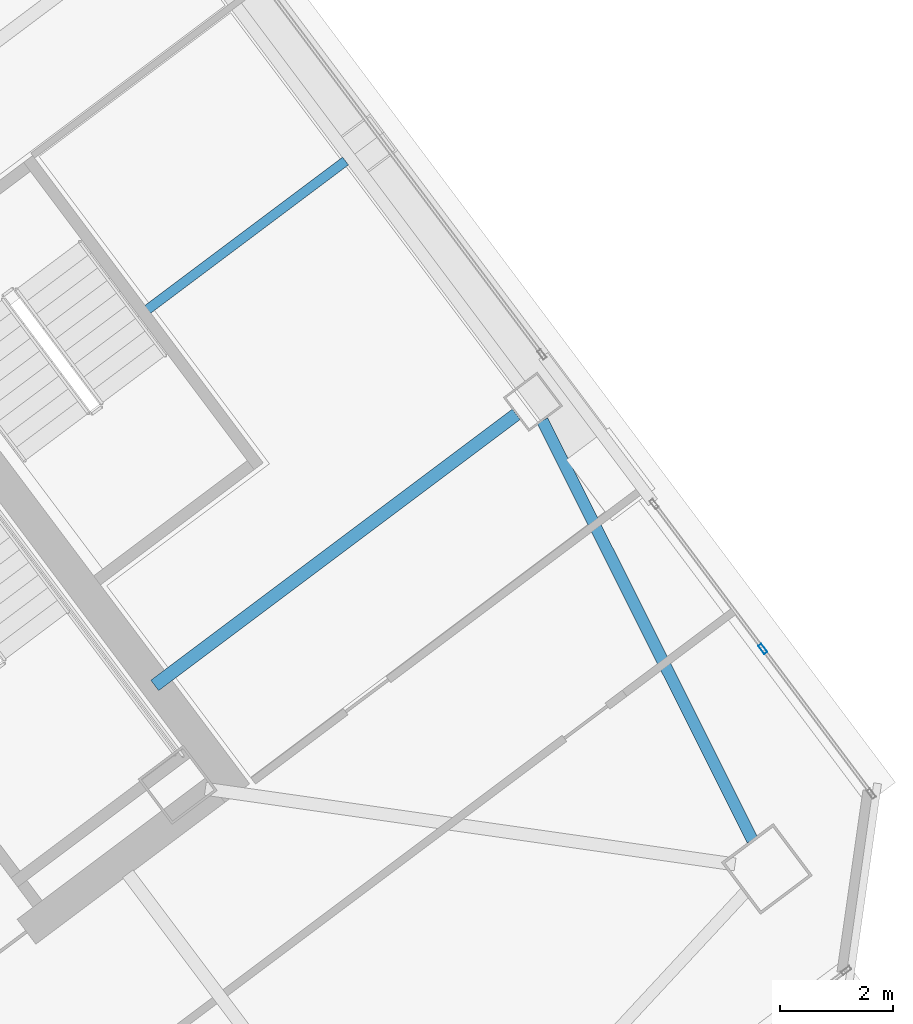
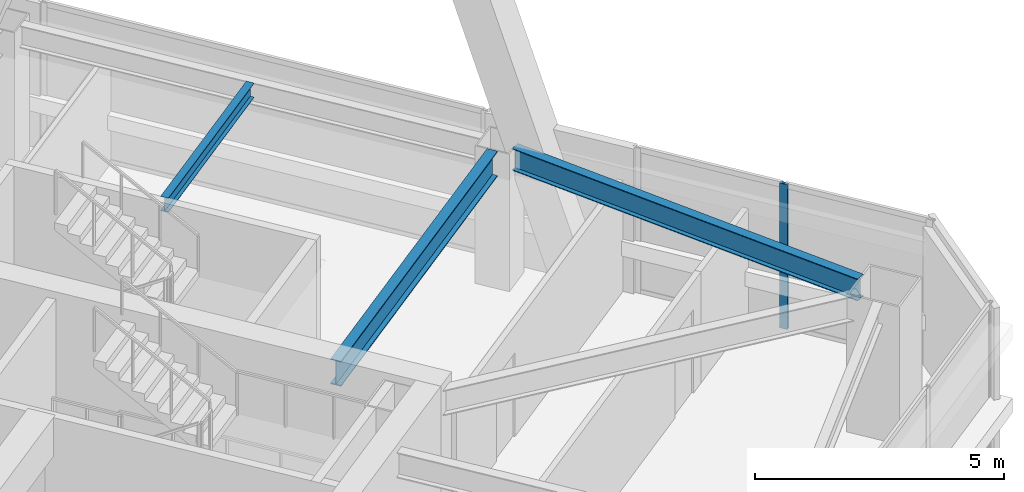
# One storey, part 35 of 55: 3 beams, 1 member, 1 element without a shape of its own.
"""IFC4 building model written with IfcOpenShell, lengths in metres."""

from ifc_helpers import new_model, si_unit, direction, frame, origin, origin_2d, place, context, subcontext, project, spatial, hollow_rectangle, i_section, extrude, material, material_profile, profile_set, type_object, element, aggregate, save


model = new_model("IFC4")

# Units and contexts
model_context = context("Model", 3, precision=1e-05, world=origin(), true_north=direction((0.0, 1.0)))
body_context = subcontext(model_context, "Body", "Model", "MODEL_VIEW")
ifc_project = project(units=[si_unit("LENGTHUNIT", "METRE"), si_unit("AREAUNIT", "SQUARE_METRE"), si_unit("VOLUMEUNIT", "CUBIC_METRE"), si_unit("PLANEANGLEUNIT", "RADIAN"), si_unit("MASSUNIT", "GRAM", prefix="KILO")], contexts=[model_context])

# Site, building, storey
site_placement = place(None, origin())
site = spatial("IfcSite", under=ifc_project, at=site_placement, CompositionType="ELEMENT")
building_placement = place(site_placement, origin())
building = spatial("IfcBuilding", under=site, at=building_placement, Name="Tashvorn Skyway Center", CompositionType="ELEMENT")
storey_placement = place(building_placement, frame((0.0, 0.0, 178.300048828125)))
storey = spatial("IfcBuildingStorey", under=building, at=storey_placement, Name="L48", CompositionType="ELEMENT", Elevation=178.300048828125)

# Beams
ifc_material_1 = material(Name="Steel ASTM A992 Grade 50", Category="steel")
ifc_material_profile_1 = material_profile(ifc_material_1, i_section(OverallWidth=0.22998046875, OverallDepth=0.616943359375, WebThickness=0.01318359375, FlangeThickness=0.022216796875, at=origin_2d()), Name="W24X94")
ifc_profile_set_1 = profile_set([ifc_material_profile_1], Name="Steel ASTM A992 Grade 50")
beam_type_1 = type_object("IfcBeamType", Name="BM-BEAM-W24X94", PredefinedType="BEAM", material=ifc_profile_set_1)
beam_1_placement = place(storey_placement, frame((129.864013671875, 37.14794921875, 3.0615234375), z_axis=(-0.799992675677, -0.60000976564, 0.0), x_axis=(0.60000976564, -0.799992675677, 0.0)))
element("IfcBeam", 1, at=beam_1_placement, inside=storey, type_object=beam_type_1, Name="Tower 2 L48 Primary Floor Girder FC-E1", PredefinedType="BEAM", context=body_context, shape_type="SweptSolid", body=[
    extrude(i_section(OverallWidth=0.22998046875, OverallDepth=0.616943359375, WebThickness=0.01318359375, FlangeThickness=0.022216796875, at=origin_2d()), origin(), (0.0, 0.0, 1.0), 8.0),
])
ifc_material_profile_2 = material_profile(ifc_material_1, i_section(OverallWidth=0.1708984375, OverallDepth=0.35498046875, WebThickness=0.007080078125, FlangeThickness=0.01171875, at=origin_2d()), Name="W14X34")
ifc_profile_set_2 = profile_set([ifc_material_profile_2], Name="Steel ASTM A992 Grade 50")
beam_type_2 = type_object("IfcBeamType", Name="BM-JOIST-W14X34", PredefinedType="JOIST", material=ifc_profile_set_2)
beam_2_placement = place(storey_placement, frame((123.3359375, 39.001953125, 3.1923828125), z_axis=(0.799993315235, 0.600008912917, 0.0), x_axis=(-0.600008912917, 0.799993315235, 0.0)))
element("IfcBeam", 2, at=beam_2_placement, inside=storey, type_object=beam_type_2, Name="Tower 2 L48 Secondary Composite Joist JE", PredefinedType="JOIST", context=body_context, shape_type="SweptSolid", body=[
    extrude(i_section(OverallWidth=0.1708984375, OverallDepth=0.35498046875, WebThickness=0.007080078125, FlangeThickness=0.01171875, at=origin_2d()), origin(), (0.0, 0.0, 1.0), 4.382568359375),
])
ifc_material_profile_3 = material_profile(ifc_material_1, i_section(OverallWidth=0.2109375, OverallDepth=0.5390625, WebThickness=0.01171875, FlangeThickness=0.018798828125, at=origin_2d()), Name="W21X73")
ifc_profile_set_3 = profile_set([ifc_material_profile_3], Name="Steel ASTM A992 Grade 50")
beam_type_3 = type_object("IfcBeamType", Name="BM-SPANDREL-W21X73", PredefinedType="SPANDREL", material=ifc_profile_set_3)
beam_3_placement = place(storey_placement, frame((134.044921875, 29.609619140625, 3.100341796875), z_axis=(-0.447648438059, 0.894209637559, 0.0), x_axis=(-0.894209637559, -0.447648438059, 0.0)))
element("IfcBeam", 3, at=beam_3_placement, inside=storey, type_object=beam_type_3, Name="Tower 2 L48 Spandrel Beam 04", PredefinedType="SPANDREL", context=body_context, shape_type="SweptSolid", body=[
    extrude(i_section(OverallWidth=0.2109375, OverallDepth=0.5390625, WebThickness=0.01171875, FlangeThickness=0.018798828125, at=origin_2d()), origin(), (0.0, 0.0, 1.0), 8.308349609375),
])

# Curtain wall, member
ifc_material_2 = material(Name="Thermally broken bronze-anodized aluminium 6063-T6", Category="aluminium")
curtain_wall_type = type_object("IfcCurtainWallType", Name="CW-CW-Z4", PredefinedType="NOTDEFINED", material=ifc_material_2)
curtain_wall_placement = place(storey_placement, origin())
curtain_wall = element("IfcCurtainWall", 4, at=curtain_wall_placement, inside=storey, type_object=curtain_wall_type, Name="Tower 2 L48 East Unitised Curtain Wall Glazing Group 3", PredefinedType="NOTDEFINED")
ifc_material_profile_4 = material_profile(ifc_material_2, hollow_rectangle(XDim=0.070068359375, YDim=0.179931640625, WallThickness=0.00390625, at=origin_2d()), Name="ALU-MULL-70x180")
ifc_profile_set_4 = profile_set([ifc_material_profile_4], Name="Thermally broken bronze-anodized aluminium 6063-T6")
member_type = type_object("IfcMemberType", Name="CWM-CW-Z4", PredefinedType="MULLION", material=ifc_profile_set_4)
member_placement = place(storey_placement, frame((134.22802734375, 32.99609375, 0.0), z_axis=(0.0, 0.0, 1.0), x_axis=(0.799999999998, 0.600000000002, 0.0)))
member = element("IfcMember", 5, at=member_placement, type_object=member_type, Name="CW-Z4 mullion 2", PredefinedType="MULLION", context=body_context, shape_type="SweptSolid", body=[
    extrude(hollow_rectangle(XDim=0.070068359375, YDim=0.179931640625, WallThickness=0.00390625, at=origin_2d()), origin(), (0.0, 0.0, 1.0), 3.550048828125),
])
aggregate(curtain_wall, [member])

save(model, "model.ifc")
